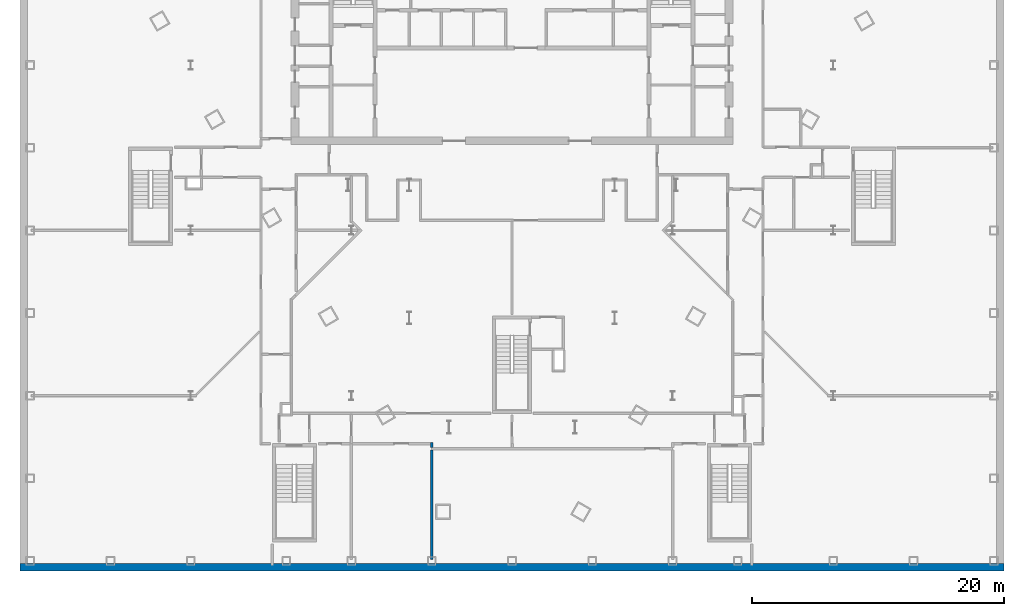
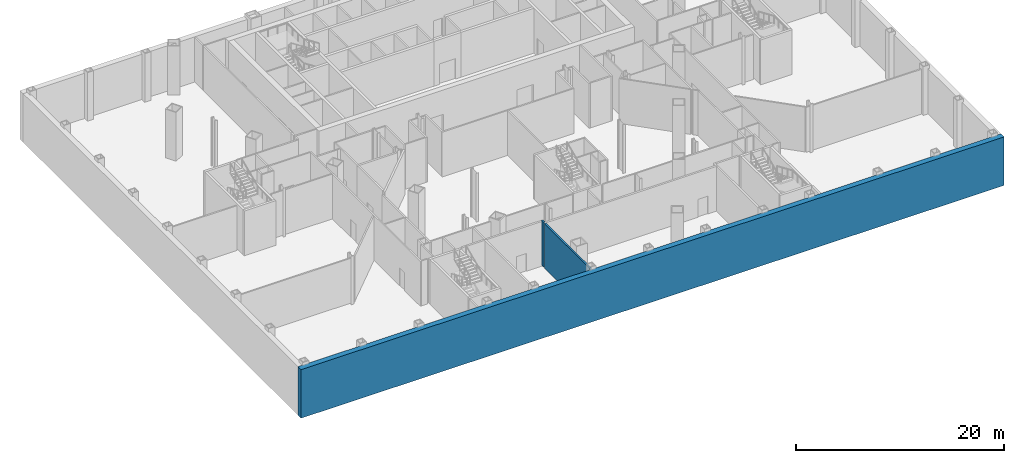
# One storey, part 6 of 17: 3 walls.
"""IFC4 building model written with IfcOpenShell, lengths in metres."""

from ifc_helpers import new_model, si_unit, direction, frame, frame_2d, origin, place, context, subcontext, project, spatial, rectangle, extrude, material, layer, layer_set, type_object, element, save


model = new_model("IFC4")

# Units and contexts
model_context = context("Model", 3, precision=1e-05, world=origin(), true_north=direction((0.0, 1.0)))
body_context = subcontext(model_context, "Body", "Model", "MODEL_VIEW")
ifc_project = project(units=[si_unit("LENGTHUNIT", "METRE"), si_unit("AREAUNIT", "SQUARE_METRE"), si_unit("VOLUMEUNIT", "CUBIC_METRE"), si_unit("PLANEANGLEUNIT", "RADIAN"), si_unit("MASSUNIT", "GRAM", prefix="KILO")], contexts=[model_context])

# Site, building, storey
site_placement = place(None, origin())
site = spatial("IfcSite", under=ifc_project, at=site_placement, CompositionType="ELEMENT")
building_placement = place(site_placement, origin())
building = spatial("IfcBuilding", under=site, at=building_placement, Name="Njiva Tower", CompositionType="ELEMENT")
storey_placement = place(building_placement, frame((0.0, 0.0, -11.4)))
storey = spatial("IfcBuildingStorey", under=building, at=storey_placement, Name="B2", CompositionType="ELEMENT", Elevation=-11.4)

# Walls
ifc_material_1 = material(Name="Blockwork", Category="masonry")
ifc_layer_1 = layer(ifc_material_1, 0.2)
ifc_layer_set_1 = layer_set([ifc_layer_1], Name="Blockwork")
wall_type_1 = type_object("IfcWallType", Name="WT22 Plant room wall 200", PredefinedType="PARTITIONING", material=ifc_layer_set_1)
wall_1_placement = place(storey_placement, frame((-6.367, -32.9, 0.0), z_axis=(0.0, 0.0, 1.0), x_axis=(0.0, 1.0, 0.0)))
element("IfcWall", 1, at=wall_1_placement, inside=storey, type_object=wall_type_1, Name="Partition B2-P054", PredefinedType="PARTITIONING", context=body_context, shape_type="SweptSolid", body=[
    extrude(rectangle(XDim=8.7, YDim=0.2, at=frame_2d((4.35, 0.0))), origin(), (0.0, 0.0, 1.0), 5.25),
])
wall_2_placement = place(storey_placement, frame((-6.367, -24.0, 0.0), z_axis=(0.0, 0.0, 1.0), x_axis=(0.0, 1.0, 0.0)))
element("IfcWall", 2, at=wall_2_placement, inside=storey, type_object=wall_type_1, Name="Partition B2-P056", PredefinedType="PARTITIONING", context=body_context, shape_type="SweptSolid", body=[
    extrude(rectangle(XDim=0.4, YDim=0.2, at=frame_2d((0.2, 0.0))), origin(), (0.0, 0.0, 1.0), 5.25),
])
ifc_material_2 = material(Name="Concrete C40/50", Category="concrete")
ifc_layer_2 = layer(ifc_material_2, 0.6)
ifc_layer_set_2 = layer_set([ifc_layer_2], Name="Concrete C40/50")
wall_type_2 = type_object("IfcWallType", Name="WT93 Basement retaining wall 600", PredefinedType="STANDARD", material=ifc_layer_set_2)
wall_3_placement = place(storey_placement, frame((-39.0, -33.5, -0.4), z_axis=(0.0, 0.0, 1.0), x_axis=(1.0, 0.0, 0.0)))
element("IfcWall", 3, at=wall_3_placement, inside=storey, type_object=wall_type_2, Name="Basement retaining wall", PredefinedType="STANDARD", context=body_context, shape_type="SweptSolid", body=[
    extrude(rectangle(XDim=78.0, YDim=0.6, at=frame_2d((39.0, 0.0))), origin(), (0.0, 0.0, 1.0), 5.7),
])

save(model, "model.ifc")
